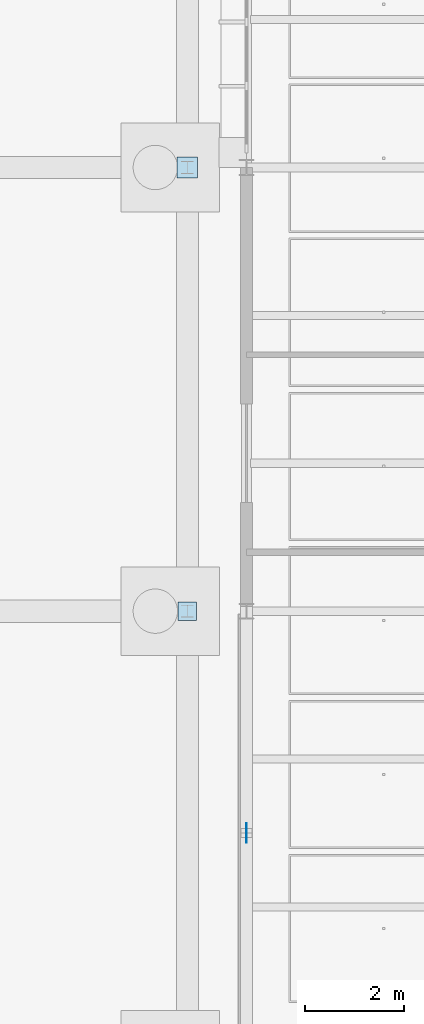
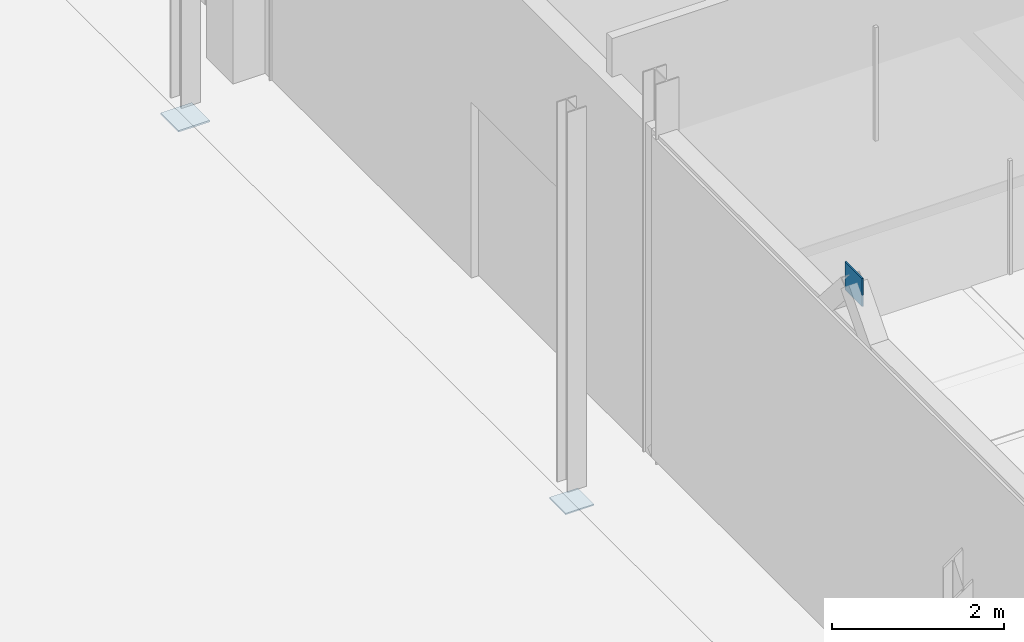
# One storey, part 88 of 180: 3 plates.
"""IFC4 building model written with IfcOpenShell, lengths in metres."""

from ifc_helpers import new_model, si_unit, direction, frame, origin, origin_2d, place, context, subcontext, project, spatial, rectangle, extrude, material, layer, layer_set, type_object, element, save


model = new_model("IFC4")

# Units and contexts
model_context = context("Model", 3, precision=1e-05, world=origin(), true_north=direction((0.0, 1.0)))
body_context = subcontext(model_context, "Body", "Model", "MODEL_VIEW")
ifc_project = project(units=[si_unit("LENGTHUNIT", "METRE"), si_unit("AREAUNIT", "SQUARE_METRE"), si_unit("VOLUMEUNIT", "CUBIC_METRE"), si_unit("PLANEANGLEUNIT", "RADIAN"), si_unit("MASSUNIT", "GRAM", prefix="KILO"), si_unit("THERMODYNAMICTEMPERATUREUNIT", "KELVIN"), si_unit("POWERUNIT", "WATT")], contexts=[model_context])

# Site, building, storey
site_placement = place(None, origin())
site = spatial("IfcSite", under=ifc_project, at=site_placement, CompositionType="ELEMENT")
building_placement = place(site_placement, origin())
building = spatial("IfcBuilding", under=site, at=building_placement, Name="Tallowbark Science Centre", CompositionType="ELEMENT")
storey_placement = place(building_placement, origin())
storey = spatial("IfcBuildingStorey", under=building, at=storey_placement, Name="L00", CompositionType="ELEMENT", Elevation=0.0)

# Plates
ifc_material = material(Name="Structural Steel Grade 300PLUS (300 MPa)", Category="steel")
ifc_layer_1 = layer(ifc_material, 0.01806640625)
ifc_layer_set_1 = layer_set([ifc_layer_1], Name="Structural Steel Grade 300PLUS (300 MPa)")
plate_type_1 = type_object("IfcPlateType", Name="PLT-GUS-18", PredefinedType="SHEET", material=ifc_layer_set_1)
plate_1_placement = place(storey_placement, frame((54.0, 81.0, -0.260009765625), z_axis=(0.0, 0.0, 1.0), x_axis=(1.0, 0.0, 0.0)))
element("IfcPlate", 1, at=plate_1_placement, inside=storey, type_object=plate_type_1, Name="Column Baseplate PAS-E09", PredefinedType="SHEET", context=body_context, shape_type="SweptSolid", body=[
    extrude(rectangle(XDim=0.3798828125, YDim=0.3798828125, at=origin_2d()), origin(), (0.0, 0.0, 1.0), 0.01806640625),
])
ifc_layer_2 = layer(ifc_material, 0.02001953125)
ifc_layer_set_2 = layer_set([ifc_layer_2], Name="Structural Steel Grade 300PLUS (300 MPa)")
plate_type_2 = type_object("IfcPlateType", Name="PLT-GUS-20", PredefinedType="SHEET", material=ifc_layer_set_2)
plate_2_placement = place(storey_placement, frame((55.199951171875, 76.5, 4.949951171875), z_axis=(0.0, 0.0, 1.0), x_axis=(0.0, 1.0, 0.0)))
element("IfcPlate", 2, at=plate_2_placement, inside=storey, type_object=plate_type_2, Name="Chevron Brace Apex Gusset CBF-LAB-W1A L00", PredefinedType="SHEET", context=body_context, shape_type="SweptSolid", body=[
    extrude(rectangle(XDim=0.39990234375, YDim=0.02001953125, at=origin_2d()), origin(), (0.0, 0.0, 1.0), 0.39990234375),
])
ifc_layer_3 = layer(ifc_material, 0.02197265625)
ifc_layer_set_3 = layer_set([ifc_layer_3], Name="Structural Steel Grade 300PLUS (300 MPa)")
plate_type_3 = type_object("IfcPlateType", Name="PLT-GUS-22", PredefinedType="SHEET", material=ifc_layer_set_3)
plate_3_placement = place(storey_placement, frame((54.0, 90.0, -0.260009765625), z_axis=(0.0, 0.0, 1.0), x_axis=(1.0, 0.0, 0.0)))
element("IfcPlate", 3, at=plate_3_placement, inside=storey, type_object=plate_type_3, Name="Column Baseplate PAS-E10", PredefinedType="SHEET", context=body_context, shape_type="SweptSolid", body=[
    extrude(rectangle(XDim=0.419921875, YDim=0.419921875, at=origin_2d()), origin(), (0.0, 0.0, 1.0), 0.02197265625),
])

save(model, "model.ifc")
